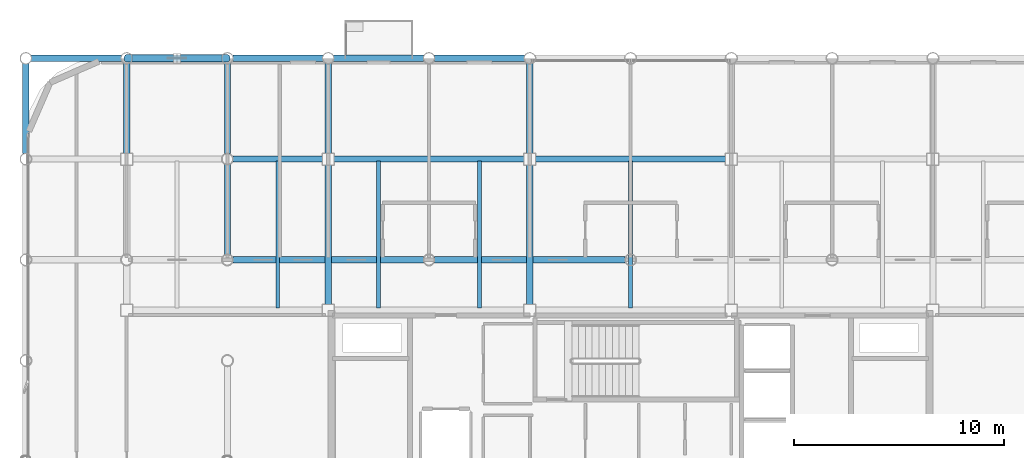
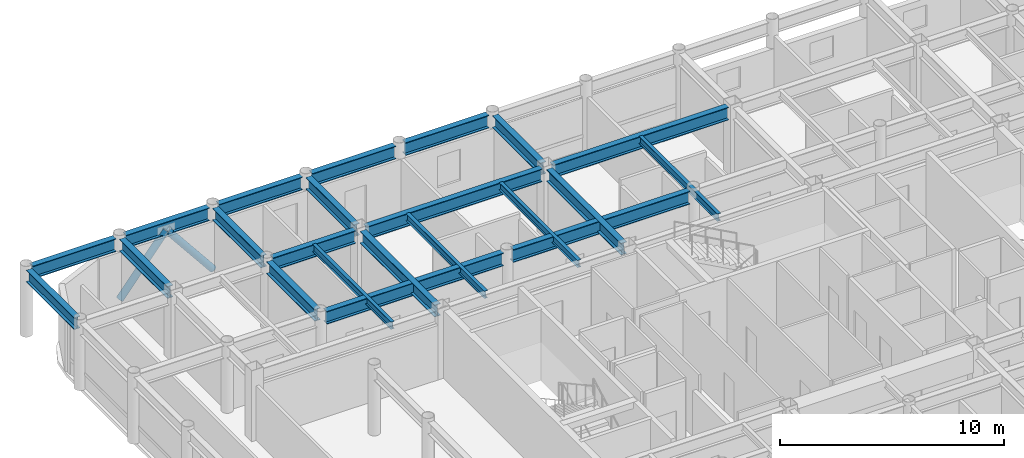
# One storey, part 12 of 23: 22 beams, 2 members.
"""IFC4 building model written with IfcOpenShell, lengths in metres."""

from ifc_helpers import new_model, si_unit, direction, frame, origin, origin_2d, place, context, subcontext, project, spatial, hollow_circle, i_section, extrude, material, material_profile, profile_set, type_object, element, save


model = new_model("IFC4")

# Units and contexts
model_context = context("Model", 3, precision=1e-05, world=origin(), true_north=direction((0.0, 1.0)))
body_context = subcontext(model_context, "Body", "Model", "MODEL_VIEW")
ifc_project = project(units=[si_unit("LENGTHUNIT", "METRE"), si_unit("AREAUNIT", "SQUARE_METRE"), si_unit("VOLUMEUNIT", "CUBIC_METRE"), si_unit("PLANEANGLEUNIT", "RADIAN"), si_unit("MASSUNIT", "GRAM", prefix="KILO")], contexts=[model_context])

# Site, building, storey
site_placement = place(None, origin())
site = spatial("IfcSite", under=ifc_project, at=site_placement, CompositionType="ELEMENT")
building_placement = place(site_placement, origin())
building = spatial("IfcBuilding", under=site, at=building_placement, Name="Kallvorn Hotel Tower", CompositionType="ELEMENT")
storey_placement = place(building_placement, frame((0.0, 0.0, 195.35009765625)))
storey = spatial("IfcBuildingStorey", under=building, at=storey_placement, Name="L48", CompositionType="ELEMENT", Elevation=195.35009765625)

# Beams
ifc_material_1 = material(Name="Structural steel S355JR", Category="steel")
ifc_material_profile_1 = material_profile(ifc_material_1, i_section(OverallWidth=0.300048828125, OverallDepth=0.64990234375, WebThickness=0.01611328125, FlangeThickness=0.031005859375, at=origin_2d()), Name="HE 650 B")
ifc_profile_set_1 = profile_set([ifc_material_profile_1], Name="Structural steel S355JR")
beam_type_1 = type_object("IfcBeamType", Name="BM_HE650B", PredefinedType="BEAM", material=ifc_profile_set_1)
beam_1_placement = place(storey_placement, frame((-28.800048828125, 14.654541015625, 3.344970703125), z_axis=(0.0, 1.0, 0.0), x_axis=(-1.0, 0.0, 0.0)))
element("IfcBeam", 1, at=beam_1_placement, inside=storey, type_object=beam_type_1, Name="L49 Primary Y-Girder 80", PredefinedType="BEAM", context=body_context, shape_type="SweptSolid", body=[
    extrude(i_section(OverallWidth=0.300048828125, OverallDepth=0.64990234375, WebThickness=0.01611328125, FlangeThickness=0.031005859375, at=origin_2d()), origin(), (0.0, 0.0, 1.0), 4.291015625),
])
beam_2_placement = place(storey_placement, frame((-24.0, 14.675048828125, 3.344970703125), z_axis=(0.0, 1.0, 0.0), x_axis=(-1.0, 0.0, 0.0)))
element("IfcBeam", 2, at=beam_2_placement, inside=storey, type_object=beam_type_1, Name="L49 Primary Y-Girder 87", PredefinedType="BEAM", context=body_context, shape_type="SweptSolid", body=[
    extrude(i_section(OverallWidth=0.300048828125, OverallDepth=0.64990234375, WebThickness=0.01611328125, FlangeThickness=0.031005859375, at=origin_2d()), origin(), (0.0, 0.0, 1.0), 4.2705078125),
])
for number, where, z_axis, x_axis, name in (
    (3, (-19.199951171875, 9.8544921875, 3.344970703125), (0.0, 1.0, 0.0), (-1.0, 0.0, 0.0), "L49 Primary Y-Girder 95"),
    (4, (-19.199951171875, 14.654541015625, 3.344970703125), (0.0, 1.0, 0.0), (-1.0, 0.0, 0.0), "L49 Primary Y-Girder 96"),
):
    element("IfcBeam", number, at=place(storey_placement, frame(where, z_axis=z_axis, x_axis=x_axis)), inside=storey, type_object=beam_type_1, Name=name, PredefinedType="BEAM", context=body_context, shape_type="SweptSolid", body=[
        extrude(i_section(OverallWidth=0.300048828125, OverallDepth=0.64990234375, WebThickness=0.01611328125, FlangeThickness=0.031005859375, at=origin_2d()), origin(), (0.0, 0.0, 1.0), 4.291015625),
    ])
beam_3_placement = place(storey_placement, frame((-14.39990234375, 7.47509765625, 3.344970703125), z_axis=(0.0, 1.0, 0.0), x_axis=(-1.0, 0.0, 0.0)))
element("IfcBeam", 5, at=beam_3_placement, inside=storey, type_object=beam_type_1, Name="L49 Primary Y-Girder 100", PredefinedType="BEAM", context=body_context, shape_type="SweptSolid", body=[
    extrude(i_section(OverallWidth=0.300048828125, OverallDepth=0.64990234375, WebThickness=0.01611328125, FlangeThickness=0.031005859375, at=origin_2d()), origin(), (0.0, 0.0, 1.0), 6.64990234375),
])
beam_4_placement = place(storey_placement, frame((-14.39990234375, 14.675048828125, 3.344970703125), z_axis=(0.0, 1.0, 0.0), x_axis=(-1.0, 0.0, 0.0)))
element("IfcBeam", 6, at=beam_4_placement, inside=storey, type_object=beam_type_1, Name="L49 Primary Y-Girder 101", PredefinedType="BEAM", context=body_context, shape_type="SweptSolid", body=[
    extrude(i_section(OverallWidth=0.300048828125, OverallDepth=0.64990234375, WebThickness=0.01611328125, FlangeThickness=0.031005859375, at=origin_2d()), origin(), (0.0, 0.0, 1.0), 4.2705078125),
])
beam_5_placement = place(storey_placement, frame((-4.800048828125, 7.47509765625, 3.344970703125), z_axis=(0.0, 1.0, 0.0), x_axis=(-1.0, 0.0, 0.0)))
element("IfcBeam", 7, at=beam_5_placement, inside=storey, type_object=beam_type_1, Name="L49 Primary Y-Girder 108", PredefinedType="BEAM", context=body_context, shape_type="SweptSolid", body=[
    extrude(i_section(OverallWidth=0.300048828125, OverallDepth=0.64990234375, WebThickness=0.01611328125, FlangeThickness=0.031005859375, at=origin_2d()), origin(), (0.0, 0.0, 1.0), 6.64990234375),
])
beam_6_placement = place(storey_placement, frame((-4.800048828125, 14.675048828125, 3.344970703125), z_axis=(0.0, 1.0, 0.0), x_axis=(-1.0, 0.0, 0.0)))
element("IfcBeam", 8, at=beam_6_placement, inside=storey, type_object=beam_type_1, Name="L49 Primary Y-Girder 109", PredefinedType="BEAM", context=body_context, shape_type="SweptSolid", body=[
    extrude(i_section(OverallWidth=0.300048828125, OverallDepth=0.64990234375, WebThickness=0.01611328125, FlangeThickness=0.031005859375, at=origin_2d()), origin(), (0.0, 0.0, 1.0), 4.2705078125),
])
ifc_material_2 = material(Name="Structural steel S355JR", Category="steel")
ifc_material_profile_2 = material_profile(ifc_material_2, i_section(OverallWidth=0.300048828125, OverallDepth=0.699951171875, WebThickness=0.01708984375, FlangeThickness=0.031982421875, at=origin_2d()), Name="HE 700 B")
ifc_profile_set_2 = profile_set([ifc_material_profile_2], Name="Structural steel S355JR")
beam_type_2 = type_object("IfcBeamType", Name="BM_HE700B", PredefinedType="BEAM", material=ifc_profile_set_2)
for number, where, z_axis, x_axis, name in (
    (9, (-18.945556640625, 9.60009765625, 3.31982421875), (1.0, 0.0, 0.0), (0.0, 1.0, 0.0), "L49 Primary X-Girder 44"),
    (10, (-9.345458984375, 9.60009765625, 3.31982421875), (1.0, 0.0, 0.0), (0.0, 1.0, 0.0), "L49 Primary X-Girder 45"),
):
    element("IfcBeam", number, at=place(storey_placement, frame(where, z_axis=z_axis, x_axis=x_axis)), inside=storey, type_object=beam_type_2, Name=name, PredefinedType="BEAM", context=body_context, shape_type="SweptSolid", body=[
        extrude(i_section(OverallWidth=0.300048828125, OverallDepth=0.699951171875, WebThickness=0.01708984375, FlangeThickness=0.031982421875, at=origin_2d()), origin(), (0.0, 0.0, 1.0), 9.091064453125),
    ])
beam_7_placement = place(storey_placement, frame((-18.945556640625, 14.39990234375, 3.31982421875), z_axis=(1.0, 0.0, 0.0), x_axis=(0.0, 1.0, 0.0)))
element("IfcBeam", 11, at=beam_7_placement, inside=storey, type_object=beam_type_2, Name="L49 Primary X-Girder 53", PredefinedType="BEAM", context=body_context, shape_type="SweptSolid", body=[
    extrude(i_section(OverallWidth=0.300048828125, OverallDepth=0.699951171875, WebThickness=0.01708984375, FlangeThickness=0.031982421875, at=origin_2d()), origin(), (0.0, 0.0, 1.0), 4.2705078125),
])
beam_8_placement = place(storey_placement, frame((-14.125, 14.39990234375, 3.31982421875), z_axis=(1.0, 0.0, 0.0), x_axis=(0.0, 1.0, 0.0)))
element("IfcBeam", 12, at=beam_8_placement, inside=storey, type_object=beam_type_2, Name="L49 Primary X-Girder 54", PredefinedType="BEAM", context=body_context, shape_type="SweptSolid", body=[
    extrude(i_section(OverallWidth=0.300048828125, OverallDepth=0.699951171875, WebThickness=0.01708984375, FlangeThickness=0.031982421875, at=origin_2d()), origin(), (0.0, 0.0, 1.0), 9.050048828125),
])
beam_9_placement = place(storey_placement, frame((-4.52490234375, 14.39990234375, 3.31982421875), z_axis=(1.0, 0.0, 0.0), x_axis=(0.0, 1.0, 0.0)))
element("IfcBeam", 13, at=beam_9_placement, inside=storey, type_object=beam_type_2, Name="L49 Primary X-Girder 55", PredefinedType="BEAM", context=body_context, shape_type="SweptSolid", body=[
    extrude(i_section(OverallWidth=0.300048828125, OverallDepth=0.699951171875, WebThickness=0.01708984375, FlangeThickness=0.031982421875, at=origin_2d()), origin(), (0.0, 0.0, 1.0), 9.0498046875),
])
for number, where, z_axis, x_axis, name in (
    (14, (-28.54541015625, 19.199951171875, 3.31982421875), (1.0, 0.0, 0.0), (0.0, 1.0, 0.0), "L49 Primary X-Girder 61"),
    (15, (-23.74560546875, 19.199951171875, 3.31982421875), (1.0, 0.0, 0.0), (0.0, 1.0, 0.0), "L49 Primary X-Girder 62"),
    (16, (-18.945556640625, 19.199951171875, 3.31982421875), (1.0, 0.0, 0.0), (0.0, 1.0, 0.0), "L49 Primary X-Girder 63"),
    (17, (-14.1455078125, 19.199951171875, 3.31982421875), (1.0, 0.0, 0.0), (0.0, 1.0, 0.0), "L49 Primary X-Girder 64"),
    (18, (-9.345458984375, 19.199951171875, 3.31982421875), (1.0, 0.0, 0.0), (0.0, 1.0, 0.0), "L49 Primary X-Girder 65"),
):
    element("IfcBeam", number, at=place(storey_placement, frame(where, z_axis=z_axis, x_axis=x_axis)), inside=storey, type_object=beam_type_2, Name=name, PredefinedType="BEAM", context=body_context, shape_type="SweptSolid", body=[
        extrude(i_section(OverallWidth=0.300048828125, OverallDepth=0.699951171875, WebThickness=0.01708984375, FlangeThickness=0.031982421875, at=origin_2d()), origin(), (0.0, 0.0, 1.0), 4.291015625),
    ])
ifc_material_3 = material(Name="Structural steel S355JR", Category="steel")
ifc_material_profile_3 = material_profile(ifc_material_3, i_section(OverallWidth=0.179931640625, OverallDepth=0.39990234375, WebThickness=0.008544921875, FlangeThickness=0.013427734375, at=origin_2d()), Name="IPE 400")
ifc_profile_set_3 = profile_set([ifc_material_profile_3], Name="Structural steel S355JR")
beam_type_3 = type_object("IfcBeamType", Name="BM_IPE400", PredefinedType="JOIST", material=ifc_profile_set_3)
for number, where, z_axis, x_axis, name in (
    (19, (-16.800048828125, 7.300048828125, 3.469970703125), (0.0, 1.0, 0.0), (-1.0, 0.0, 0.0), "L49 Secondary Composite Joist 195"),
    (20, (-12.0, 7.300048828125, 3.469970703125), (0.0, 1.0, 0.0), (-1.0, 0.0, 0.0), "L49 Secondary Composite Joist 197"),
    (21, (-7.199951171875, 7.300048828125, 3.469970703125), (0.0, 1.0, 0.0), (-1.0, 0.0, 0.0), "L49 Secondary Composite Joist 199"),
    (22, (0.0, 7.300048828125, 3.469970703125), (0.0, 1.0, 0.0), (-1.0, 0.0, 0.0), "L49 Secondary Composite Joist 201"),
):
    element("IfcBeam", number, at=place(storey_placement, frame(where, z_axis=z_axis, x_axis=x_axis)), inside=storey, type_object=beam_type_3, Name=name, PredefinedType="JOIST", context=body_context, shape_type="SweptSolid", body=[
        extrude(i_section(OverallWidth=0.179931640625, OverallDepth=0.39990234375, WebThickness=0.008544921875, FlangeThickness=0.013427734375, at=origin_2d()), origin(), (0.0, 0.0, 1.0), 7.0),
    ])

# Members
ifc_material_4 = material(Name="Structural steel S355J2H", Category="steel")
ifc_material_profile_4 = material_profile(ifc_material_4, hollow_circle(Radius=0.177734375, WallThickness=0.01416015625, at=origin_2d()), Name="CHS 355.6x14.2")
ifc_profile_set_4 = profile_set([ifc_material_profile_4], Name="Structural steel S355J2H")
member_type = type_object("IfcMemberType", Name="MBR_EXO_CHS355", PredefinedType="BRACE", material=ifc_profile_set_4)
for number, where, z_axis, x_axis, name in (
    (23, (-23.987548828125, 19.199951171875, 0.195556640625), (0.627270878626, 0.0, 0.778801158722), (0.0, 1.0, 0.0), "L48 Exoskeleton K-Brace N1A"),
    (24, (-19.21240234375, 19.199951171875, 0.195556640625), (-0.627270878626, 0.0, 0.778801158722), (0.0, -1.0, 0.0), "L48 Exoskeleton K-Brace N1B"),
):
    element("IfcMember", number, at=place(storey_placement, frame(where, z_axis=z_axis, x_axis=x_axis)), inside=storey, type_object=member_type, Name=name, PredefinedType="BRACE", context=body_context, shape_type="SweptSolid", body=[
        extrude(hollow_circle(Radius=0.177734375, WallThickness=0.01416015625, at=origin_2d()), origin(), (0.0, 0.0, 1.0), 3.7861328125),
    ])

save(model, "model.ifc")
